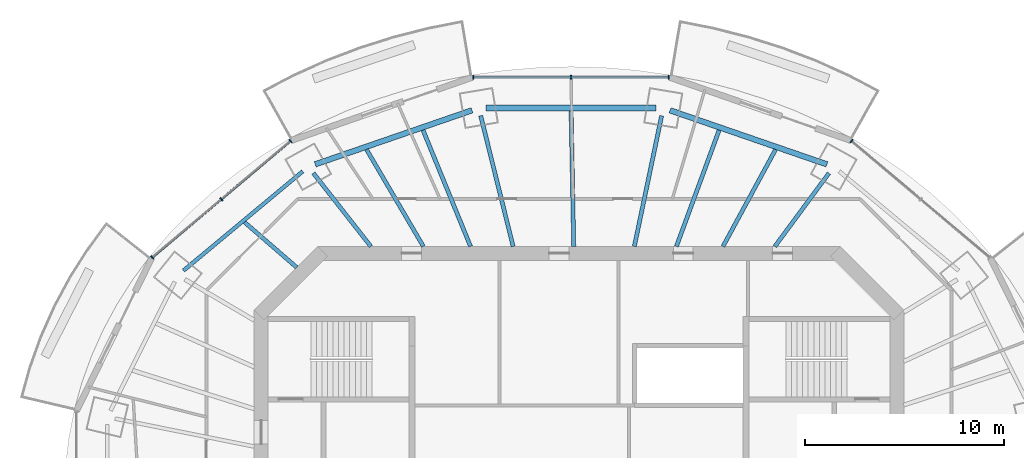
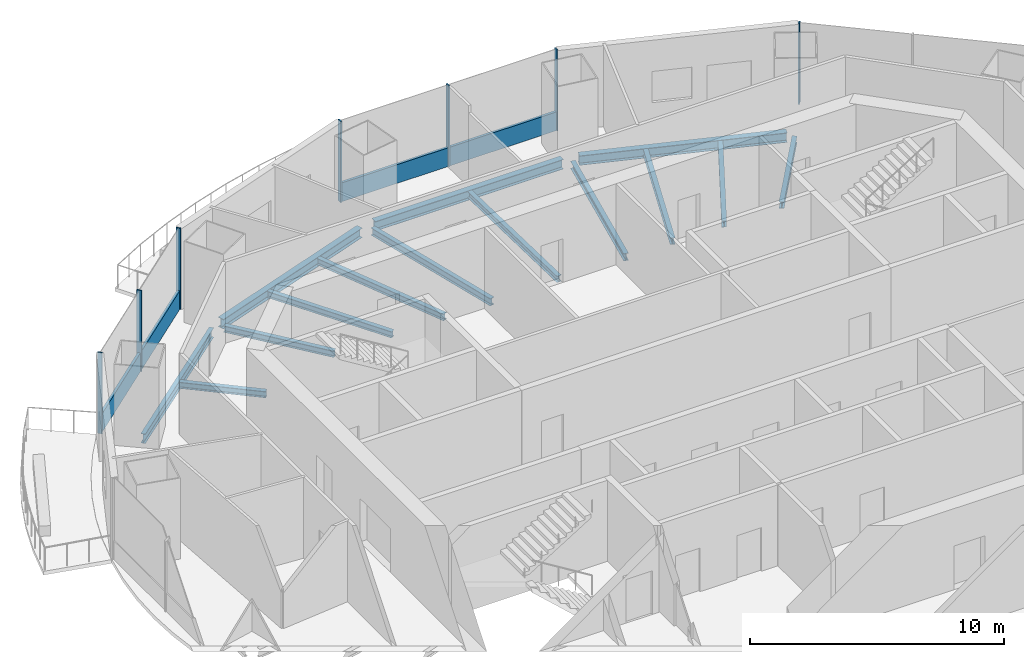
# One storey, part 5 of 14: 14 beams, 9 members, 3 elements without a shape of their own.
"""IFC4 building model written with IfcOpenShell, lengths in metres."""

from ifc_helpers import new_model, si_unit, direction, frame, origin, origin_2d, place, context, subcontext, project, spatial, rectangle, i_section, extrude, material, material_profile, profile_set, type_object, element, aggregate, save


model = new_model("IFC4")

# Units and contexts
model_context = context("Model", 3, precision=1e-05, world=origin(), true_north=direction((0.0, 1.0)))
body_context = subcontext(model_context, "Body", "Model", "MODEL_VIEW")
ifc_project = project(units=[si_unit("LENGTHUNIT", "METRE"), si_unit("AREAUNIT", "SQUARE_METRE"), si_unit("VOLUMEUNIT", "CUBIC_METRE"), si_unit("PLANEANGLEUNIT", "RADIAN"), si_unit("MASSUNIT", "GRAM", prefix="KILO")], contexts=[model_context])

# Site, building, storey
site_placement = place(None, origin())
site = spatial("IfcSite", under=ifc_project, at=site_placement, CompositionType="ELEMENT")
building_placement = place(site_placement, origin())
building = spatial("IfcBuilding", under=site, at=building_placement, Name="Marenthal Gate Tower", CompositionType="ELEMENT")
storey_placement = place(building_placement, frame((0.0, 0.0, 392.39990234375)))
storey = spatial("IfcBuildingStorey", under=building, at=storey_placement, Name="L89", CompositionType="ELEMENT", Elevation=392.39990234375)

# Curtain wall, member
ifc_material_1 = material(Name="Aluminium and glass", Category="aluminium")
curtain_wall_type = type_object("IfcCurtainWallType", Name="Curtain wall typical high", PredefinedType="NOTDEFINED", material=ifc_material_1)
curtain_wall_1_placement = place(storey_placement, origin())
curtain_wall_1 = element("IfcCurtainWall", 1, at=curtain_wall_1_placement, inside=storey, type_object=curtain_wall_type, Name="Curtain wall L89 bay 2", PredefinedType="NOTDEFINED")
ifc_material_2 = material(Name="Aluminium", Category="aluminium")
ifc_material_profile_1 = material_profile(ifc_material_2, rectangle(XDim=0.199951171875, YDim=0.06005859375, at=origin_2d()), Name="60x200 aluminium mullion")
ifc_profile_set_1 = profile_set([ifc_material_profile_1], Name="Aluminium")
member_type_1 = type_object("IfcMemberType", Name="Mullion 60x200 typical high", PredefinedType="MULLION", material=ifc_profile_set_1)
member_1_placement = place(storey_placement, frame((13.723388671875, 18.657470703125, 0.0), z_axis=(0.0, 0.0, 1.0), x_axis=(-0.644265226944, -0.764802142616, 0.0)))
member_1 = element("IfcMember", 2, at=member_1_placement, type_object=member_type_1, Name="Mullion L89 bay 2.3", PredefinedType="MULLION", context=body_context, shape_type="SweptSolid", body=[
    extrude(rectangle(XDim=0.199951171875, YDim=0.06005859375, at=origin_2d()), origin(), (0.0, 0.0, 1.0), 3.900146484375),
])
aggregate(curtain_wall_1, [member_1])

# Curtain wall, members
curtain_wall_2_placement = place(storey_placement, origin())
curtain_wall_2 = element("IfcCurtainWall", 3, at=curtain_wall_2_placement, inside=storey, type_object=curtain_wall_type, Name="Curtain wall L89 bay 4", PredefinedType="NOTDEFINED")
member_2_placement = place(storey_placement, frame((4.521484375, 21.869140625, 0.0), z_axis=(0.0, 0.0, 1.0), x_axis=(0.0, -1.0, 0.0)))
member_2 = element("IfcMember", 4, at=member_2_placement, type_object=member_type_1, Name="Mullion L89 bay 4.1", PredefinedType="MULLION", context=body_context, shape_type="SweptSolid", body=[
    extrude(rectangle(XDim=0.199951171875, YDim=0.06005859375, at=origin_2d()), origin(), (0.0, 0.0, 1.0), 3.900146484375),
])
member_3_placement = place(storey_placement, frame((-0.39990234375, 21.869140625, 0.0), z_axis=(0.0, 0.0, 1.0), x_axis=(0.0, -1.0, 0.0)))
member_3 = element("IfcMember", 5, at=member_3_placement, type_object=member_type_1, Name="Mullion L89 bay 4.2", PredefinedType="MULLION", context=body_context, shape_type="SweptSolid", body=[
    extrude(rectangle(XDim=0.199951171875, YDim=0.06005859375, at=origin_2d()), origin(), (0.0, 0.0, 1.0), 3.900146484375),
])
member_4_placement = place(storey_placement, frame((-5.3212890625, 21.869140625, 0.0), z_axis=(0.0, 0.0, 1.0), x_axis=(0.0, -1.0, 0.0)))
member_4 = element("IfcMember", 6, at=member_4_placement, type_object=member_type_1, Name="Mullion L89 bay 4.3", PredefinedType="MULLION", context=body_context, shape_type="SweptSolid", body=[
    extrude(rectangle(XDim=0.199951171875, YDim=0.06005859375, at=origin_2d()), origin(), (0.0, 0.0, 1.0), 3.900146484375),
])

curtain_wall_3_placement = place(storey_placement, origin())
curtain_wall_3 = element("IfcCurtainWall", 7, at=curtain_wall_3_placement, inside=storey, type_object=curtain_wall_type, Name="Curtain wall L89 bay 6", PredefinedType="NOTDEFINED")
member_5_placement = place(storey_placement, frame((-14.5234375, 18.657470703125, 0.0), z_axis=(0.0, 0.0, 1.0), x_axis=(0.644265226944, -0.764802142616, 0.0)))
member_5 = element("IfcMember", 8, at=member_5_placement, type_object=member_type_1, Name="Mullion L89 bay 6.1", PredefinedType="MULLION", context=body_context, shape_type="SweptSolid", body=[
    extrude(rectangle(XDim=0.199951171875, YDim=0.06005859375, at=origin_2d()), origin(), (0.0, 0.0, 1.0), 3.900146484375),
])
member_6_placement = place(storey_placement, frame((-18.001708984375, 15.7275390625, 0.0), z_axis=(0.0, 0.0, 1.0), x_axis=(0.644265226944, -0.764802142616, 0.0)))
member_6 = element("IfcMember", 9, at=member_6_placement, type_object=member_type_1, Name="Mullion L89 bay 6.2", PredefinedType="MULLION", context=body_context, shape_type="SweptSolid", body=[
    extrude(rectangle(XDim=0.199951171875, YDim=0.06005859375, at=origin_2d()), origin(), (0.0, 0.0, 1.0), 3.900146484375),
])
member_7_placement = place(storey_placement, frame((-21.479736328125, 12.79736328125, 0.0), z_axis=(0.0, 0.0, 1.0), x_axis=(0.644265226944, -0.764802142616, 0.0)))
member_7 = element("IfcMember", 10, at=member_7_placement, type_object=member_type_1, Name="Mullion L89 bay 6.3", PredefinedType="MULLION", context=body_context, shape_type="SweptSolid", body=[
    extrude(rectangle(XDim=0.199951171875, YDim=0.06005859375, at=origin_2d()), origin(), (0.0, 0.0, 1.0), 3.900146484375),
])

# Member
ifc_material_3 = material(Name="Aluminium", Category="aluminium")
ifc_material_profile_2 = material_profile(ifc_material_3, rectangle(XDim=0.1201171875, YDim=0.89990234375, at=origin_2d()), Name="120x900 aluminium transom")
ifc_profile_set_2 = profile_set([ifc_material_profile_2], Name="Aluminium")
member_type_2 = type_object("IfcMemberType", Name="Transom 120x900 typical high", PredefinedType="USERDEFINED", material=ifc_profile_set_2)
member_8_placement = place(storey_placement, frame((4.491455078125, 21.869140625, 0.4501953125), z_axis=(-1.0, 0.0, 0.0), x_axis=(0.0, -1.0, 0.0)))
member_8 = element("IfcMember", 11, at=member_8_placement, type_object=member_type_2, Name="Transom L89 bay 4", ObjectType="TRANSOM", PredefinedType="USERDEFINED", context=body_context, shape_type="SweptSolid", body=[
    extrude(rectangle(XDim=0.1201171875, YDim=0.89990234375, at=origin_2d()), origin(), (0.0, 0.0, 1.0), 9.782958984375),
])

aggregate(curtain_wall_2, [member_2, member_3, member_4, member_8])

member_9_placement = place(storey_placement, frame((-14.54638671875, 18.63818359375, 0.4501953125), z_axis=(-0.764788567143, -0.644281341937, 0.0), x_axis=(0.644281341937, -0.764788567143, 0.0)))
member_9 = element("IfcMember", 12, at=member_9_placement, type_object=member_type_2, Name="Transom L89 bay 6", ObjectType="TRANSOM", PredefinedType="USERDEFINED", context=body_context, shape_type="SweptSolid", body=[
    extrude(rectangle(XDim=0.1201171875, YDim=0.89990234375, at=origin_2d()), origin(), (0.0, 0.0, 1.0), 9.03564453125),
])

aggregate(curtain_wall_3, [member_5, member_6, member_7, member_9])

# Beams
ifc_material_4 = material(Name="Steel S355", Category="steel")
ifc_material_profile_3 = material_profile(ifc_material_4, i_section(OverallWidth=0.202880859375, OverallDepth=0.302001953125, WebThickness=0.007568359375, FlangeThickness=0.01318359375, FilletRadius=0.0126953125, at=origin_2d()), Name="W310X60")
ifc_profile_set_3 = profile_set([ifc_material_profile_3], Name="Steel S355")
beam_type_1 = type_object("IfcBeamType", Name="W310X60 beam", PredefinedType="BEAM", material=ifc_profile_set_3)
beam_1_placement = place(storey_placement, frame((9.895263671875, 18.22412109375, -0.330810546875), z_axis=(-0.477173461033, -0.878809130634, 0.0), x_axis=(0.878809130634, -0.477173461033, 0.0)))
element("IfcBeam", 13, at=beam_1_placement, inside=storey, type_object=beam_type_1, Name="BM-L89-19", PredefinedType="BEAM", context=body_context, shape_type="SweptSolid", body=[
    extrude(i_section(OverallWidth=0.202880859375, OverallDepth=0.302001953125, WebThickness=0.007568359375, FlangeThickness=0.01318359375, FilletRadius=0.0126953125, at=origin_2d()), origin(), (0.0, 0.0, 1.0), 5.546142578125),
])
beam_2_placement = place(storey_placement, frame((-10.690673828125, 18.225830078125, -0.330810546875), z_axis=(0.505940063359, -0.862568636277, 0.0), x_axis=(0.862568636277, 0.505940063359, 0.0)))
element("IfcBeam", 14, at=beam_2_placement, inside=storey, type_object=beam_type_1, Name="BM-L89-23", PredefinedType="BEAM", context=body_context, shape_type="SweptSolid", body=[
    extrude(i_section(OverallWidth=0.202880859375, OverallDepth=0.302001953125, WebThickness=0.007568359375, FlangeThickness=0.01318359375, FilletRadius=0.0126953125, at=origin_2d()), origin(), (0.0, 0.0, 1.0), 5.652587890625),
])
beam_3_placement = place(storey_placement, frame((-16.83251953125, 14.568359375, -0.330810546875), z_axis=(0.756131276019, -0.654419967167, 0.0), x_axis=(0.654419967167, 0.756131276019, 0.0)))
element("IfcBeam", 15, at=beam_3_placement, inside=storey, type_object=beam_type_1, Name="BM-L89-24", PredefinedType="BEAM", context=body_context, shape_type="SweptSolid", body=[
    extrude(i_section(OverallWidth=0.202880859375, OverallDepth=0.302001953125, WebThickness=0.007568359375, FlangeThickness=0.01318359375, FilletRadius=0.0126953125, at=origin_2d()), origin(), (0.0, 0.0, 1.0), 3.47802734375),
])
ifc_material_5 = material(Name="Steel S355", Category="steel")
ifc_material_profile_4 = material_profile(ifc_material_5, i_section(OverallWidth=0.205078125, OverallDepth=0.31005859375, WebThickness=0.009521484375, FlangeThickness=0.016357421875, FilletRadius=0.0126953125, at=origin_2d()), Name="W310X74")
ifc_profile_set_4 = profile_set([ifc_material_profile_4], Name="Steel S355")
beam_type_2 = type_object("IfcBeamType", Name="W310X74 beam", PredefinedType="BEAM", material=ifc_profile_set_4)
beam_4_placement = place(storey_placement, frame((12.58056640625, 17.035400390625, -0.3349609375), z_axis=(-0.594074859314, -0.804409759719, 0.0), x_axis=(0.804409759719, -0.594074859314, 0.0)))
element("IfcBeam", 16, at=beam_4_placement, inside=storey, type_object=beam_type_2, Name="BM-L89-03", PredefinedType="BEAM", context=body_context, shape_type="SweptSolid", body=[
    extrude(i_section(OverallWidth=0.205078125, OverallDepth=0.31005859375, WebThickness=0.009521484375, FlangeThickness=0.016357421875, FilletRadius=0.0126953125, at=origin_2d()), origin(), (0.0, 0.0, 1.0), 4.581298828125),
])
beam_5_placement = place(storey_placement, frame((-13.36865234375, 17.03955078125, -0.3349609375), z_axis=(0.617251167198, -0.786766163858, 0.0), x_axis=(0.786766163858, 0.617251167198, 0.0)))
element("IfcBeam", 17, at=beam_5_placement, inside=storey, type_object=beam_type_2, Name="BM-L89-06", PredefinedType="BEAM", context=body_context, shape_type="SweptSolid", body=[
    extrude(i_section(OverallWidth=0.205078125, OverallDepth=0.31005859375, WebThickness=0.009521484375, FlangeThickness=0.016357421875, FilletRadius=0.0126953125, at=origin_2d()), origin(), (0.0, 0.0, 1.0), 4.689453125),
])
beam_6_placement = place(storey_placement, frame((7.0546875, 19.202880859375, -0.3349609375), z_axis=(-0.344837880661, -0.938662258782, 0.0), x_axis=(0.938662258782, -0.344837880661, 0.0)))
element("IfcBeam", 18, at=beam_6_placement, inside=storey, type_object=beam_type_2, Name="BM-L89-20", PredefinedType="BEAM", context=body_context, shape_type="SweptSolid", body=[
    extrude(i_section(OverallWidth=0.205078125, OverallDepth=0.31005859375, WebThickness=0.009521484375, FlangeThickness=0.016357421875, FilletRadius=0.0126953125, at=origin_2d()), origin(), (0.0, 0.0, 1.0), 6.2353515625),
])
beam_7_placement = place(storey_placement, frame((-0.397216796875, 20.179931640625, -0.3349609375), z_axis=(0.019692337945, -0.999806087112, 0.0), x_axis=(0.999806087112, 0.019692337945, 0.0)))
element("IfcBeam", 19, at=beam_7_placement, inside=storey, type_object=beam_type_2, Name="BM-L89-21", PredefinedType="BEAM", context=body_context, shape_type="SweptSolid", body=[
    extrude(i_section(OverallWidth=0.205078125, OverallDepth=0.31005859375, WebThickness=0.009521484375, FlangeThickness=0.016357421875, FilletRadius=0.0126953125, at=origin_2d()), origin(), (0.0, 0.0, 1.0), 6.8310546875),
])
beam_8_placement = place(storey_placement, frame((-7.85009765625, 19.20458984375, -0.3349609375), z_axis=(0.378401367112, -0.925641618213, 0.0), x_axis=(0.925641618213, 0.378401367112, 0.0)))
element("IfcBeam", 20, at=beam_8_placement, inside=storey, type_object=beam_type_2, Name="BM-L89-22", PredefinedType="BEAM", context=body_context, shape_type="SweptSolid", body=[
    extrude(i_section(OverallWidth=0.205078125, OverallDepth=0.31005859375, WebThickness=0.009521484375, FlangeThickness=0.016357421875, FilletRadius=0.0126953125, at=origin_2d()), origin(), (0.0, 0.0, 1.0), 6.32470703125),
])
ifc_material_6 = material(Name="Steel S355", Category="steel")
ifc_material_profile_5 = material_profile(ifc_material_6, i_section(OverallWidth=0.205078125, OverallDepth=0.35302734375, WebThickness=0.009521484375, FlangeThickness=0.016845703125, FilletRadius=0.014892578125, at=origin_2d()), Name="W360X79")
ifc_profile_set_5 = profile_set([ifc_material_profile_5], Name="Steel S355")
beam_type_3 = type_object("IfcBeamType", Name="W360X79 beam", PredefinedType="BEAM", material=ifc_profile_set_5)
beam_9_placement = place(storey_placement, frame((4.1611328125, 19.927001953125, -0.3564453125), z_axis=(-0.204431628337, -0.978880845321, 0.0), x_axis=(0.978880845321, -0.204431628337, 0.0)))
element("IfcBeam", 21, at=beam_9_placement, inside=storey, type_object=beam_type_3, Name="BM-L89-04", PredefinedType="BEAM", context=body_context, shape_type="SweptSolid", body=[
    extrude(i_section(OverallWidth=0.205078125, OverallDepth=0.35302734375, WebThickness=0.009521484375, FlangeThickness=0.016845703125, FilletRadius=0.014892578125, at=origin_2d()), origin(), (0.0, 0.0, 1.0), 6.71875),
])
beam_10_placement = place(storey_placement, frame((-4.946044921875, 19.928466796875, -0.3564453125), z_axis=(0.240899563447, -0.9705500504, 0.0), x_axis=(0.9705500504, 0.240899563447, 0.0)))
element("IfcBeam", 22, at=beam_10_placement, inside=storey, type_object=beam_type_3, Name="BM-L89-05", PredefinedType="BEAM", context=body_context, shape_type="SweptSolid", body=[
    extrude(i_section(OverallWidth=0.205078125, OverallDepth=0.35302734375, WebThickness=0.009521484375, FlangeThickness=0.016845703125, FilletRadius=0.014892578125, at=origin_2d()), origin(), (0.0, 0.0, 1.0), 6.778076171875),
])
ifc_material_7 = material(Name="Steel S355", Category="steel")
ifc_material_profile_6 = material_profile(ifc_material_7, i_section(OverallWidth=0.279052734375, OverallDepth=0.4619140625, WebThickness=0.0107421875, FlangeThickness=0.017333984375, FilletRadius=0.010009765625, at=origin_2d()), Name="W460X113")
ifc_profile_set_6 = profile_set([ifc_material_profile_6], Name="Steel S355")
beam_type_4 = type_object("IfcBeamType", Name="W460X113 beam", PredefinedType="BEAM", material=ifc_profile_set_6)
beam_11_placement = place(storey_placement, frame((12.47900390625, 17.4814453125, -0.410888671875), z_axis=(-0.945444742422, 0.325782502639, 0.0), x_axis=(-0.325782502639, -0.945444742422, 0.0)))
element("IfcBeam", 23, at=beam_11_placement, inside=storey, type_object=beam_type_4, Name="BM-L89-40", PredefinedType="BEAM", context=body_context, shape_type="SweptSolid", body=[
    extrude(i_section(OverallWidth=0.279052734375, OverallDepth=0.4619140625, WebThickness=0.0107421875, FlangeThickness=0.017333984375, FilletRadius=0.010009765625, at=origin_2d()), origin(), (0.0, 0.0, 1.0), 8.34912109375),
])
beam_12_placement = place(storey_placement, frame((3.881591796875, 20.319580078125, -0.410888671875), z_axis=(-1.0, 0.0, 0.0), x_axis=(0.0, -1.0, 0.0)))
element("IfcBeam", 24, at=beam_12_placement, inside=storey, type_object=beam_type_4, Name="BM-L89-41", PredefinedType="BEAM", context=body_context, shape_type="SweptSolid", body=[
    extrude(i_section(OverallWidth=0.279052734375, OverallDepth=0.4619140625, WebThickness=0.0107421875, FlangeThickness=0.017333984375, FilletRadius=0.010009765625, at=origin_2d()), origin(), (0.0, 0.0, 1.0), 8.56298828125),
])
beam_13_placement = place(storey_placement, frame((-5.385498046875, 20.201416015625, -0.410888671875), z_axis=(-0.945444742422, -0.325782502639, 0.0), x_axis=(0.325782502639, -0.945444742422, 0.0)))
element("IfcBeam", 25, at=beam_13_placement, inside=storey, type_object=beam_type_4, Name="BM-L89-42", PredefinedType="BEAM", context=body_context, shape_type="SweptSolid", body=[
    extrude(i_section(OverallWidth=0.279052734375, OverallDepth=0.4619140625, WebThickness=0.0107421875, FlangeThickness=0.017333984375, FilletRadius=0.010009765625, at=origin_2d()), origin(), (0.0, 0.0, 1.0), 8.34912109375),
])
ifc_material_8 = material(Name="Steel S355", Category="steel")
ifc_material_profile_7 = material_profile(ifc_material_8, i_section(OverallWidth=0.19091796875, OverallDepth=0.45703125, WebThickness=0.009033203125, FlangeThickness=0.014404296875, FilletRadius=0.01025390625, at=origin_2d()), Name="W460X74")
ifc_profile_set_7 = profile_set([ifc_material_profile_7], Name="Steel S355")
beam_type_5 = type_object("IfcBeamType", Name="W460X74 beam", PredefinedType="BEAM", material=ifc_profile_set_7)
beam_14_placement = place(storey_placement, frame((-13.9033203125, 17.129638671875, -0.408447265625), z_axis=(-0.76874123216, -0.63955994088, 0.0), x_axis=(0.63955994088, -0.76874123216, 0.0)))
element("IfcBeam", 26, at=beam_14_placement, inside=storey, type_object=beam_type_5, Name="BM-L89-43", PredefinedType="BEAM", context=body_context, shape_type="SweptSolid", body=[
    extrude(i_section(OverallWidth=0.19091796875, OverallDepth=0.45703125, WebThickness=0.009033203125, FlangeThickness=0.014404296875, FilletRadius=0.01025390625, at=origin_2d()), origin(), (0.0, 0.0, 1.0), 7.80908203125),
])

save(model, "model.ifc")
